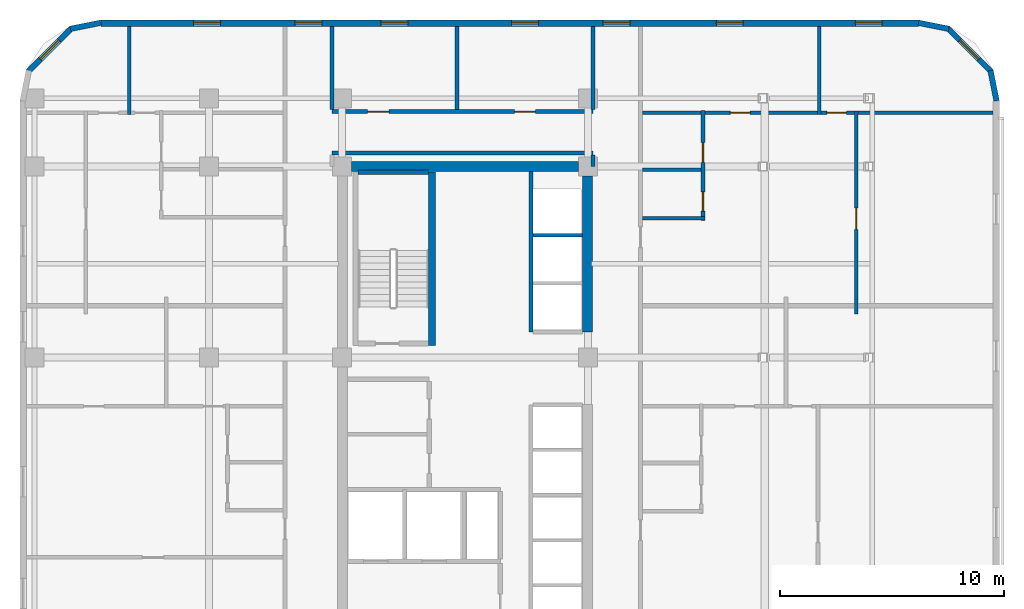
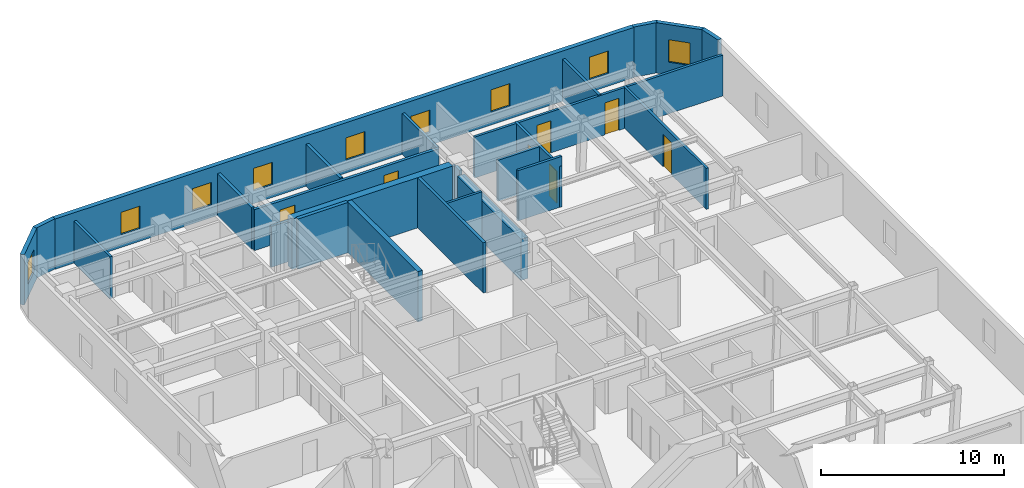
# One storey, part 6 of 11: 25 walls, 9 windows, 7 doors, 16 openings.
"""IFC4 building model written with IfcOpenShell, lengths in metres."""

import ifcopenshell
import ifcopenshell.guid

model = None  # the IFC model being written
_history = None  # IfcOwnerHistory: only IFC2X3 demands one
_inside = {}  # id of a spatial element -> (the spatial element, [elements in it])
_under = {}  # id of a project, library or spatial element -> (it, [spatial elements below it])
_declared = {}  # id of a project -> (the project, [libraries it declares])
_typed = {}  # id of a type object -> (the type object, [elements of that type])
_made_of = {}  # id of a material, layer set ... -> (it, [elements and type objects made of it])


def new_model(schema):
    """Start an empty IFC model of exactly this schema.

    Asked for "IFC4X3", IfcOpenShell would pick the latest addendum, in which some entities
    have other attributes; the version numbers below select the first issue.
    IFC2X3 requires an IfcOwnerHistory on every rooted entity: one is made here for all.
    """
    global model, _history
    if schema == "IFC4X3":
        model = ifcopenshell.file(schema_version=(4, 3, 0, 0))
    else:
        model = ifcopenshell.file(schema=schema)
    _inside.clear()
    _under.clear()
    _declared.clear()
    _typed.clear()
    _made_of.clear()
    _history = None
    if model.schema == "IFC2X3":
        org = make("IfcOrganization", Name="unknown")
        user = make(
            "IfcPersonAndOrganization",
            ThePerson=make("IfcPerson", FamilyName="unknown"),
            TheOrganization=org,
        )
        app = make(
            "IfcApplication",
            ApplicationDeveloper=org,
            Version="unknown",
            ApplicationFullName="unknown",
            ApplicationIdentifier="unknown",
        )
        _history = make(
            "IfcOwnerHistory",
            OwningUser=user,
            OwningApplication=app,
            ChangeAction="ADDED",
            CreationDate=0,
        )
    return model


def make(cls, **values):
    """One entity of the class cls with the attributes given. An attribute that is None is left unset."""
    return model.create_entity(
        cls, **{name: value for name, value in values.items() if value is not None}
    )


def rooted(cls, **values):
    """An entity with a GlobalId (a new one), such as an element, a storey or a relation."""
    return make(cls, GlobalId=ifcopenshell.guid.new(), OwnerHistory=_history, **values)


def si_unit(unit_type, name, prefix=None):
    """IfcSIUnit, for example si_unit("LENGTHUNIT", "METRE", prefix="MILLI")."""
    return make("IfcSIUnit", UnitType=unit_type, Prefix=prefix, Name=name)


def assignment(units):
    """IfcUnitAssignment: the units of a project."""
    return None if units is None else make("IfcUnitAssignment", Units=units)


def point(xyz):
    """IfcCartesianPoint."""
    return None if xyz is None else make("IfcCartesianPoint", Coordinates=xyz)


def direction(xyz):
    """IfcDirection."""
    return None if xyz is None else make("IfcDirection", DirectionRatios=xyz)


def frame(location, z_axis=None, x_axis=None):
    """IfcAxis2Placement3D, a coordinate frame: its origin and axes. An axis left out is left unset."""
    return make(
        "IfcAxis2Placement3D",
        Location=point(location),
        Axis=direction(z_axis),
        RefDirection=direction(x_axis),
    )


def frame_2d(location, x_axis=None):
    """IfcAxis2Placement2D, a coordinate frame in the plane: its origin and x axis."""
    return make(
        "IfcAxis2Placement2D", Location=point(location), RefDirection=direction(x_axis)
    )


def origin():
    """The frame at (0, 0, 0) with its axes left unset."""
    return frame((0.0, 0.0, 0.0))


def place(relative_to, where):
    """IfcLocalPlacement: puts the frame where relative to a parent placement (None: the world)."""
    return make(
        "IfcLocalPlacement", PlacementRelTo=relative_to, RelativePlacement=where
    )


def context(
    kind, dimensions, precision=None, world=None, true_north=None, identifier=None
):
    """IfcGeometricRepresentationContext, for example the 3D "Model" context."""
    return make(
        "IfcGeometricRepresentationContext",
        ContextIdentifier=identifier,
        ContextType=kind,
        CoordinateSpaceDimension=dimensions,
        Precision=precision,
        WorldCoordinateSystem=world,
        TrueNorth=true_north,
    )


def subcontext(parent, identifier, kind, view, scale=None):
    """IfcGeometricRepresentationSubContext, for example "Body" below "Model"."""
    return make(
        "IfcGeometricRepresentationSubContext",
        ContextIdentifier=identifier,
        ContextType=kind,
        ParentContext=parent,
        TargetScale=scale,
        TargetView=view,
    )


def project(units=None, contexts=None):
    """IfcProject with its units and contexts."""
    return rooted(
        "IfcProject",
        Name="project",
        RepresentationContexts=contexts,
        UnitsInContext=assignment(units),
    )


def spatial(cls, under=None, at=None, **own):
    """A site, building, storey or space (cls), placed at a placement, below another one or the project."""
    s = rooted(cls, ObjectPlacement=at, **own)
    if under is not None:
        _under.setdefault(under.id(), (under, []))[1].append(s)
    return s


def profile(cls, at=None, kind="AREA", **sizes):
    """A parametric profile (cls). Its sizes go by their IFC names, for example OverallWidth=200.0."""
    return make(cls, ProfileType=kind, Position=at, **sizes)


def rectangle(**sizes):
    """IfcRectangleProfileDef."""
    return profile("IfcRectangleProfileDef", **sizes)


def extrude(swept, where, along, depth):
    """IfcExtrudedAreaSolid: the profile swept, set in the frame where, extruded along a direction by depth."""
    return make(
        "IfcExtrudedAreaSolid",
        SweptArea=swept,
        Position=where,
        ExtrudedDirection=direction(along),
        Depth=depth,
    )


def shape(context_of_items, identifier, shape_type, items):
    """IfcShapeRepresentation: the items that make up one representation, for example the "Body"."""
    return make(
        "IfcShapeRepresentation",
        ContextOfItems=context_of_items,
        RepresentationIdentifier=identifier,
        RepresentationType=shape_type,
        Items=items,
    )


def material(Name=None, Category=None):
    """IfcMaterial."""
    return make("IfcMaterial", Name=Name, Category=Category)


def layer(
    of_material, thickness, ventilated=None, Name=None, Category=None, Priority=None
):
    """IfcMaterialLayer: one layer of a wall or slab, of a material (None: an air gap)."""
    return make(
        "IfcMaterialLayer",
        Material=of_material,
        LayerThickness=thickness,
        IsVentilated=ventilated,
        Name=Name,
        Category=Category,
        Priority=Priority,
    )


def layer_set(layers, Name=None):
    """IfcMaterialLayerSet."""
    return make("IfcMaterialLayerSet", MaterialLayers=layers, LayerSetName=Name)


def made_of(thing, what):
    """Note that an element or type object is made of a material, layer set ...; save() writes the relation."""
    if what is not None:
        _made_of.setdefault(what.id(), (what, []))[1].append(thing)
    return thing


def type_object(cls, material=None, **own):
    """A type object (cls), such as IfcWallType, which elements share."""
    return made_of(rooted(cls, **own), material)


def element(
    cls,
    number,
    at=None,
    inside=None,
    cuts=None,
    type_object=None,
    material=None,
    context=None,
    identifier="Body",
    shape_type=None,
    held_by="IfcProductDefinitionShape",
    body=None,
    shapes=None,
    **own,
):
    """One element of the class cls, such as IfcWall. Its Tag is "e" and its number.

    at: its placement. inside: the storey or other place that contains it. cuts: it is an
    opening in that element (IfcRelVoidsElement). A single representation is given by context,
    identifier, shape_type and body (its items); several are given by shapes. held_by: the class
    of the entity that holds the representations. save() writes the other relations.
    """
    e = rooted(cls, Tag="e%d" % number, ObjectPlacement=at, **own)
    if body is not None:
        shapes = [shape(context, identifier, shape_type, body)]
    if shapes is not None:
        e.Representation = make(held_by, Representations=shapes)
    if inside is not None:
        _inside.setdefault(inside.id(), (inside, []))[1].append(e)
    if cuts is not None:
        rooted(
            "IfcRelVoidsElement", RelatingBuildingElement=cuts, RelatedOpeningElement=e
        )
    if type_object is not None:
        _typed.setdefault(type_object.id(), (type_object, []))[1].append(e)
    return made_of(e, material)


def fill(opening, filler):
    """IfcRelFillsElement: the door or window that sits in an opening."""
    return rooted(
        "IfcRelFillsElement",
        RelatingOpeningElement=opening,
        RelatedBuildingElement=filler,
    )


def aggregate(whole, parts):
    """IfcRelAggregates: a whole, such as a stair, and the parts it consists of."""
    return rooted("IfcRelAggregates", RelatingObject=whole, RelatedObjects=parts)


def save(model, path):
    """Write the relations noted so far, then the file.

    IfcRelAggregates (storeys below a building ...), IfcRelContainedInSpatialStructure (elements
    in a storey), IfcRelDefinesByType, IfcRelAssociatesMaterial and IfcRelDeclares: one each for
    every whole, place, type object, material and project.
    """
    for whole, parts in _under.values():
        aggregate(whole, parts)
    for where, things in _inside.values():
        rooted(
            "IfcRelContainedInSpatialStructure",
            RelatedElements=things,
            RelatingStructure=where,
        )
    for kind, things in _typed.values():
        rooted("IfcRelDefinesByType", RelatedObjects=things, RelatingType=kind)
    for what, things in _made_of.values():
        rooted("IfcRelAssociatesMaterial", RelatedObjects=things, RelatingMaterial=what)
    for by, libraries in _declared.values():
        rooted("IfcRelDeclares", RelatingContext=by, RelatedDefinitions=libraries)
    model.write(path)


model = new_model("IFC4")

# Units and contexts
model_context = context("Model", 3, precision=1e-05, world=origin(), true_north=direction((0.0, 1.0)))
body_context = subcontext(model_context, "Body", "Model", "MODEL_VIEW")
ifc_project = project(units=[si_unit("LENGTHUNIT", "METRE"), si_unit("AREAUNIT", "SQUARE_METRE"), si_unit("VOLUMEUNIT", "CUBIC_METRE"), si_unit("PLANEANGLEUNIT", "RADIAN"), si_unit("MASSUNIT", "GRAM", prefix="KILO")], contexts=[model_context])

# Site, building, storey
site_placement = place(None, origin())
site = spatial("IfcSite", under=ifc_project, at=site_placement, CompositionType="ELEMENT")
building_placement = place(site_placement, origin())
building = spatial("IfcBuilding", under=site, at=building_placement, Name="Ochreholt Gables", CompositionType="ELEMENT")
storey_placement = place(building_placement, frame((0.0, 0.0, 87.60009765625)))
storey = spatial("IfcBuildingStorey", under=building, at=storey_placement, Name="L22", CompositionType="ELEMENT", Elevation=87.60009765625)

# Walls
ifc_material_1 = material(Name="Concrete 60 MPa", Category="concrete")
ifc_layer_1 = layer(ifc_material_1, 0.449951171875, Name="Concrete 60 MPa")
ifc_layer_set_1 = layer_set([ifc_layer_1], Name="Concrete 60 MPa")
wall_type_1 = type_object("IfcWallType", Name="WALL-CSW-450", PredefinedType="SHEAR", material=ifc_layer_set_1)
wall_1_placement = place(storey_placement, frame((35.175048828125, 31.35009765625, 0.0), z_axis=(0.0, 0.0, 1.0), x_axis=(0.0, 1.0, 0.0)))
element("IfcWall", 1, at=wall_1_placement, inside=storey, type_object=wall_type_1, Name="L22 Core North-East Shear Wall", PredefinedType="SHEAR", context=body_context, shape_type="SweptSolid", body=[
    extrude(rectangle(XDim=6.974853515625, YDim=0.449951171875, at=frame_2d((3.4873046875, 0.0))), origin(), (0.0, 0.0, 1.0), 2.7490234375),
])
wall_2_placement = place(storey_placement, frame((24.625, 38.75, 0.0), z_axis=(0.0, 0.0, 1.0), x_axis=(1.0, 0.0, 0.0)))
element("IfcWall", 2, at=wall_2_placement, inside=storey, type_object=wall_type_1, Name="L22 Core North Shear Wall", PredefinedType="SHEAR", context=body_context, shape_type="SweptSolid", body=[
    extrude(rectangle(XDim=10.14990234375, YDim=0.449951171875, at=frame_2d((5.074951171875, 0.0))), origin(), (0.0, 0.0, 1.0), 3.35986328125),
])

# Wall, openings, windows
ifc_material_2 = material(Name="Precast concrete 40 MPa", Category="concrete")
ifc_layer_2 = layer(ifc_material_2, 0.280029296875, Name="Precast concrete 40 MPa")
ifc_layer_set_2 = layer_set([ifc_layer_2], Name="Precast concrete 40 MPa")
wall_type_2 = type_object("IfcWallType", Name="WALL-EXT-280", PredefinedType="SOLIDWALL", material=ifc_layer_set_2)
wall_3_placement = place(storey_placement, frame((49.97998046875, 45.159912109375, 0.0), z_axis=(0.0, 0.0, 1.0), x_axis=(-1.0, 0.0, 0.0)))
wall_3 = element("IfcWall", 3, at=wall_3_placement, inside=storey, type_object=wall_type_2, Name="L22 North Exterior Wall", PredefinedType="SOLIDWALL", context=body_context, shape_type="SweptSolid", body=[
    extrude(rectangle(XDim=36.56005859375, YDim=0.280029296875, at=frame_2d((18.280029296875, 0.0))), origin(), (0.0, 0.0, 1.0), 3.35986328125),
])
opening_1_placement = place(wall_3_placement, frame((31.215087890625, 0.0, 0.85009765625)))
opening_1 = element("IfcOpeningElement", 4, at=opening_1_placement, cuts=wall_3, Name="Opening WN-3", PredefinedType="OPENING", context=body_context, shape_type="SweptSolid", body=[
    extrude(rectangle(XDim=1.199951171875, YDim=1.5, at=frame_2d((0.60009765625, 0.75))), frame((0.0, 0.14990234375, 0.0), z_axis=(0.0, -1.0, 0.0), x_axis=(1.0, 0.0, 0.0)), (0.0, 0.0, 1.0), 0.300048828125),
])
opening_2_placement = place(wall_3_placement, frame((26.679931640625, 0.0, 0.85009765625)))
opening_2 = element("IfcOpeningElement", 5, at=opening_2_placement, cuts=wall_3, Name="Opening WN-3", PredefinedType="OPENING", context=body_context, shape_type="SweptSolid", body=[
    extrude(rectangle(XDim=1.199951171875, YDim=1.5, at=frame_2d((0.60009765625, 0.75))), frame((0.0, 0.14990234375, 0.0), z_axis=(0.0, -1.0, 0.0), x_axis=(1.0, 0.0, 0.0)), (0.0, 0.0, 1.0), 0.300048828125),
])
opening_3_placement = place(wall_3_placement, frame((22.8291015625, 0.0, 0.85009765625)))
opening_3 = element("IfcOpeningElement", 6, at=opening_3_placement, cuts=wall_3, Name="Opening WN-3", PredefinedType="OPENING", context=body_context, shape_type="SweptSolid", body=[
    extrude(rectangle(XDim=1.199951171875, YDim=1.5, at=frame_2d((0.60009765625, 0.75))), frame((0.0, 0.14990234375, 0.0), z_axis=(0.0, -1.0, 0.0), x_axis=(1.0, 0.0, 0.0)), (0.0, 0.0, 1.0), 0.300048828125),
])
opening_4_placement = place(wall_3_placement, frame((16.994140625, 0.0, 0.85009765625)))
opening_4 = element("IfcOpeningElement", 7, at=opening_4_placement, cuts=wall_3, Name="Opening WN-3", PredefinedType="OPENING", context=body_context, shape_type="SweptSolid", body=[
    extrude(rectangle(XDim=1.199951171875, YDim=1.5, at=frame_2d((0.60009765625, 0.75))), frame((0.0, 0.14990234375, 0.0), z_axis=(0.0, -1.0, 0.0), x_axis=(1.0, 0.0, 0.0)), (0.0, 0.0, 1.0), 0.300048828125),
])
opening_5_placement = place(wall_3_placement, frame((12.89501953125, 0.0, 0.85009765625)))
opening_5 = element("IfcOpeningElement", 8, at=opening_5_placement, cuts=wall_3, Name="Opening WN-3", PredefinedType="OPENING", context=body_context, shape_type="SweptSolid", body=[
    extrude(rectangle(XDim=1.199951171875, YDim=1.5, at=frame_2d((0.60009765625, 0.75))), frame((0.0, 0.14990234375, 0.0), z_axis=(0.0, -1.0, 0.0), x_axis=(1.0, 0.0, 0.0)), (0.0, 0.0, 1.0), 0.300048828125),
])
opening_6_placement = place(wall_3_placement, frame((7.83251953125, 0.0, 0.85009765625)))
opening_6 = element("IfcOpeningElement", 9, at=opening_6_placement, cuts=wall_3, Name="Opening WN-3", PredefinedType="OPENING", context=body_context, shape_type="SweptSolid", body=[
    extrude(rectangle(XDim=1.199951171875, YDim=1.5, at=frame_2d((0.60009765625, 0.75))), frame((0.0, 0.14990234375, 0.0), z_axis=(0.0, -1.0, 0.0), x_axis=(1.0, 0.0, 0.0)), (0.0, 0.0, 1.0), 0.300048828125),
])
opening_7_placement = place(wall_3_placement, frame((1.617431640625, 0.0, 0.85009765625)))
opening_7 = element("IfcOpeningElement", 10, at=opening_7_placement, cuts=wall_3, Name="Opening WN-3", PredefinedType="OPENING", context=body_context, shape_type="SweptSolid", body=[
    extrude(rectangle(XDim=1.199951171875, YDim=1.5, at=frame_2d((0.60009765625, 0.75))), frame((0.0, 0.14990234375, 0.0), z_axis=(0.0, -1.0, 0.0), x_axis=(1.0, 0.0, 0.0)), (0.0, 0.0, 1.0), 0.300048828125),
])
ifc_material_3 = material(Name="Triple-Glazed Thermally Broken Aluminium Window", Category="aluminium")
window_type = type_object("IfcWindowType", Name="WIN-RES-1200", PartitioningType="SINGLE_PANEL", PredefinedType="WINDOW", material=ifc_material_3)
window_1_placement = place(opening_1_placement, origin())
window_1 = element("IfcWindow", 11, at=window_1_placement, inside=storey, type_object=window_type, Name="L22 Window W-EXT-N-L22-1", OverallHeight=1.5, OverallWidth=1.199951171875, PartitioningType="SINGLE_PANEL", PredefinedType="WINDOW", context=body_context, shape_type="SweptSolid", body=[
    extrude(rectangle(XDim=1.199951171875, YDim=1.5, at=frame_2d((0.60009765625, 0.75))), frame((0.0, 0.030029296875, 0.0), z_axis=(0.0, -1.0, 0.0), x_axis=(1.0, 0.0, 0.0)), (0.0, 0.0, 1.0), 0.06005859375),
])
fill(opening_1, window_1)
window_2_placement = place(opening_2_placement, origin())
window_2 = element("IfcWindow", 12, at=window_2_placement, inside=storey, type_object=window_type, Name="L22 Window W-EXT-N-L22-2", OverallHeight=1.5, OverallWidth=1.199951171875, PartitioningType="SINGLE_PANEL", PredefinedType="WINDOW", context=body_context, shape_type="SweptSolid", body=[
    extrude(rectangle(XDim=1.199951171875, YDim=1.5, at=frame_2d((0.60009765625, 0.75))), frame((0.0, 0.030029296875, 0.0), z_axis=(0.0, -1.0, 0.0), x_axis=(1.0, 0.0, 0.0)), (0.0, 0.0, 1.0), 0.06005859375),
])
fill(opening_2, window_2)
window_3_placement = place(opening_3_placement, origin())
window_3 = element("IfcWindow", 13, at=window_3_placement, inside=storey, type_object=window_type, Name="L22 Window W-EXT-N-L22-3", OverallHeight=1.5, OverallWidth=1.199951171875, PartitioningType="SINGLE_PANEL", PredefinedType="WINDOW", context=body_context, shape_type="SweptSolid", body=[
    extrude(rectangle(XDim=1.199951171875, YDim=1.5, at=frame_2d((0.60009765625, 0.75))), frame((0.0, 0.030029296875, 0.0), z_axis=(0.0, -1.0, 0.0), x_axis=(1.0, 0.0, 0.0)), (0.0, 0.0, 1.0), 0.06005859375),
])
fill(opening_3, window_3)
window_4_placement = place(opening_4_placement, origin())
window_4 = element("IfcWindow", 14, at=window_4_placement, inside=storey, type_object=window_type, Name="L22 Window W-EXT-N-L22-4", OverallHeight=1.5, OverallWidth=1.199951171875, PartitioningType="SINGLE_PANEL", PredefinedType="WINDOW", context=body_context, shape_type="SweptSolid", body=[
    extrude(rectangle(XDim=1.199951171875, YDim=1.5, at=frame_2d((0.60009765625, 0.75))), frame((0.0, 0.030029296875, 0.0), z_axis=(0.0, -1.0, 0.0), x_axis=(1.0, 0.0, 0.0)), (0.0, 0.0, 1.0), 0.06005859375),
])
fill(opening_4, window_4)
window_5_placement = place(opening_5_placement, origin())
window_5 = element("IfcWindow", 15, at=window_5_placement, inside=storey, type_object=window_type, Name="L22 Window W-EXT-N-L22-5", OverallHeight=1.5, OverallWidth=1.199951171875, PartitioningType="SINGLE_PANEL", PredefinedType="WINDOW", context=body_context, shape_type="SweptSolid", body=[
    extrude(rectangle(XDim=1.199951171875, YDim=1.5, at=frame_2d((0.60009765625, 0.75))), frame((0.0, 0.030029296875, 0.0), z_axis=(0.0, -1.0, 0.0), x_axis=(1.0, 0.0, 0.0)), (0.0, 0.0, 1.0), 0.06005859375),
])
fill(opening_5, window_5)
window_6_placement = place(opening_6_placement, origin())
window_6 = element("IfcWindow", 16, at=window_6_placement, inside=storey, type_object=window_type, Name="L22 Window W-EXT-N-L22-6", OverallHeight=1.5, OverallWidth=1.199951171875, PartitioningType="SINGLE_PANEL", PredefinedType="WINDOW", context=body_context, shape_type="SweptSolid", body=[
    extrude(rectangle(XDim=1.199951171875, YDim=1.5, at=frame_2d((0.60009765625, 0.75))), frame((0.0, 0.030029296875, 0.0), z_axis=(0.0, -1.0, 0.0), x_axis=(1.0, 0.0, 0.0)), (0.0, 0.0, 1.0), 0.06005859375),
])
fill(opening_6, window_6)
window_7_placement = place(opening_7_placement, origin())
window_7 = element("IfcWindow", 17, at=window_7_placement, inside=storey, type_object=window_type, Name="L22 Window W-EXT-N-L22-7", OverallHeight=1.5, OverallWidth=1.199951171875, PartitioningType="SINGLE_PANEL", PredefinedType="WINDOW", context=body_context, shape_type="SweptSolid", body=[
    extrude(rectangle(XDim=1.199951171875, YDim=1.5, at=frame_2d((0.60009765625, 0.75))), frame((0.0, 0.030029296875, 0.0), z_axis=(0.0, -1.0, 0.0), x_axis=(1.0, 0.0, 0.0)), (0.0, 0.0, 1.0), 0.06005859375),
])
fill(opening_7, window_7)

# Wall
ifc_layer_3 = layer(ifc_material_2, 0.25, Name="Precast concrete 40 MPa")
ifc_layer_set_3 = layer_set([ifc_layer_3], Name="Precast concrete 40 MPa")
wall_type_3 = type_object("IfcWallType", Name="WALL-EXT-CNR", PredefinedType="SOLIDWALL", material=ifc_layer_set_3)
wall_4_placement = place(storey_placement, frame((53.475830078125, 41.68359375, 0.0), z_axis=(0.0, 0.0, 1.0), x_axis=(-0.195000137217, 0.980803214965, 0.0)))
element("IfcWall", 18, at=wall_4_placement, inside=storey, type_object=wall_type_3, Name="L22 Rounded Corner Wall NE-1", PredefinedType="SOLIDWALL", context=body_context, shape_type="SweptSolid", body=[
    extrude(rectangle(XDim=1.388427734375, YDim=0.25, at=frame_2d((0.6943359375, 0.0))), origin(), (0.0, 0.0, 1.0), 3.35986328125),
])

# Wall, opening, window
wall_5_placement = place(storey_placement, frame((53.23193359375, 42.9951171875, 0.0), z_axis=(0.0, 0.0, 1.0), x_axis=(-0.707151344399, 0.707062215165, 0.0)))
wall_5 = element("IfcWall", 19, at=wall_5_placement, inside=storey, type_object=wall_type_3, Name="L22 Rounded Corner Wall NE-2", PredefinedType="SOLIDWALL", context=body_context, shape_type="SweptSolid", body=[
    extrude(rectangle(XDim=2.7392578125, YDim=0.25, at=frame_2d((1.36962890625, 0.0))), origin(), (0.0, 0.0, 1.0), 3.35986328125),
])
opening_8_placement = place(wall_5_placement, frame((0.769775390625, 0.0, 0.85009765625)))
opening_8 = element("IfcOpeningElement", 20, at=opening_8_placement, cuts=wall_5, Name="Opening WN-3", PredefinedType="OPENING", context=body_context, shape_type="SweptSolid", body=[
    extrude(rectangle(XDim=1.199951171875, YDim=1.5, at=frame_2d((0.60009765625, 0.75))), frame((0.0, 0.135009765625, 0.0), z_axis=(0.0, -1.0, 0.0), x_axis=(1.0, 0.0, 0.0)), (0.0, 0.0, 1.0), 0.27001953125),
])
window_8_placement = place(opening_8_placement, origin())
window_8 = element("IfcWindow", 21, at=window_8_placement, inside=storey, type_object=window_type, Name="L22 Corner Bedroom Window NE", OverallHeight=1.5, OverallWidth=1.199951171875, PartitioningType="SINGLE_PANEL", PredefinedType="WINDOW", context=body_context, shape_type="SweptSolid", body=[
    extrude(rectangle(XDim=1.199951171875, YDim=1.5, at=frame_2d((0.60009765625, 0.75))), frame((0.0, 0.030029296875, 0.0), z_axis=(0.0, -1.0, 0.0), x_axis=(1.0, 0.0, 0.0)), (0.0, 0.0, 1.0), 0.06005859375),
])
fill(opening_8, window_8)

# Walls
for number, where, z_axis, x_axis, name in (
    (22, (51.345458984375, 44.905029296875, 0.0), (0.0, 0.0, 1.0), (-0.980809899341, 0.19496651342, 0.0), "L22 Rounded Corner Wall NE-3"),
    (23, (13.41650390625, 45.17578125, 0.0), (0.0, 0.0, 1.0), (-0.980809899341, -0.19496651342, 0.0), "L22 Rounded Corner Wall NW-1"),
):
    element("IfcWall", number, at=place(storey_placement, frame(where, z_axis=z_axis, x_axis=x_axis)), inside=storey, type_object=wall_type_3, Name=name, PredefinedType="SOLIDWALL", context=body_context, shape_type="SweptSolid", body=[
        extrude(rectangle(XDim=1.388671875, YDim=0.25, at=frame_2d((0.6943359375, 0.0))), origin(), (0.0, 0.0, 1.0), 3.35986328125),
    ])

# Wall, opening, window
wall_6_placement = place(storey_placement, frame((12.10498046875, 44.931884765625, 0.0), z_axis=(0.0, 0.0, 1.0), x_axis=(-0.707151344399, -0.707062215165, 0.0)))
wall_6 = element("IfcWall", 24, at=wall_6_placement, inside=storey, type_object=wall_type_3, Name="L22 Rounded Corner Wall NW-2", PredefinedType="SOLIDWALL", context=body_context, shape_type="SweptSolid", body=[
    extrude(rectangle(XDim=2.7392578125, YDim=0.25, at=frame_2d((1.36962890625, 0.0))), origin(), (0.0, 0.0, 1.0), 3.35986328125),
])
opening_9_placement = place(wall_6_placement, frame((0.769775390625, 0.0, 0.85009765625)))
opening_9 = element("IfcOpeningElement", 25, at=opening_9_placement, cuts=wall_6, Name="Opening WN-3", PredefinedType="OPENING", context=body_context, shape_type="SweptSolid", body=[
    extrude(rectangle(XDim=1.199951171875, YDim=1.5, at=frame_2d((0.60009765625, 0.75))), frame((0.0, 0.135009765625, 0.0), z_axis=(0.0, -1.0, 0.0), x_axis=(1.0, 0.0, 0.0)), (0.0, 0.0, 1.0), 0.27001953125),
])
window_9_placement = place(opening_9_placement, origin())
window_9 = element("IfcWindow", 26, at=window_9_placement, inside=storey, type_object=window_type, Name="L22 Corner Bedroom Window NW", OverallHeight=1.5, OverallWidth=1.199951171875, PartitioningType="SINGLE_PANEL", PredefinedType="WINDOW", context=body_context, shape_type="SweptSolid", body=[
    extrude(rectangle(XDim=1.199951171875, YDim=1.5, at=frame_2d((0.60009765625, 0.75))), frame((0.0, 0.030029296875, 0.0), z_axis=(0.0, -1.0, 0.0), x_axis=(1.0, 0.0, 0.0)), (0.0, 0.0, 1.0), 0.06005859375),
])
fill(opening_9, window_9)

# Wall, openings, doors
ifc_material_4 = material(Name="Fire-Rated Gypsum Acoustic Partition", Category="gypsum")
ifc_layer_4 = layer(ifc_material_4, 0.179931640625, Name="Fire-Rated Gypsum Acoustic Partition")
ifc_layer_set_4 = layer_set([ifc_layer_4], Name="Fire-Rated Gypsum Acoustic Partition")
wall_type_4 = type_object("IfcWallType", Name="WALL-INT-CR180", PredefinedType="STANDARD", material=ifc_layer_set_4)
wall_7_placement = place(storey_placement, frame((23.75, 41.199951171875, 0.0), z_axis=(0.0, 0.0, 1.0), x_axis=(1.0, 0.0, 0.0)))
wall_7 = element("IfcWall", 27, at=wall_7_placement, inside=storey, type_object=wall_type_4, Name="L22 Interior Wall WI-C1N-L22", PredefinedType="STANDARD", context=body_context, shape_type="SweptSolid", body=[
    extrude(rectangle(XDim=11.669921875, YDim=0.179931640625, at=frame_2d((5.8349609375, 0.0))), origin(), (0.0, 0.0, 1.0), 2.73095703125),
])
opening_10_placement = place(wall_7_placement, frame((1.60009765625, 0.0, 0.0)))
opening_10 = element("IfcOpeningElement", 28, at=opening_10_placement, cuts=wall_7, Name="Opening D-GN1", PredefinedType="OPENING", context=body_context, shape_type="SweptSolid", body=[
    extrude(rectangle(XDim=0.949951171875, YDim=2.14990234375, at=frame_2d((0.47509765625, 1.074951171875))), frame((0.0, 0.099853515625, 0.0), z_axis=(0.0, -1.0, 0.0), x_axis=(1.0, 0.0, 0.0)), (0.0, 0.0, 1.0), 0.199951171875),
])
opening_11_placement = place(wall_7_placement, frame((8.17578125, 0.0, 0.0)))
opening_11 = element("IfcOpeningElement", 29, at=opening_11_placement, cuts=wall_7, Name="Opening D-UN1", PredefinedType="OPENING", context=body_context, shape_type="SweptSolid", body=[
    extrude(rectangle(XDim=0.919921875, YDim=2.14990234375, at=frame_2d((0.4599609375, 1.074951171875))), frame((0.0, 0.099853515625, 0.0), z_axis=(0.0, -1.0, 0.0), x_axis=(1.0, 0.0, 0.0)), (0.0, 0.0, 1.0), 0.199951171875),
])
ifc_material_5 = material(Name="Engineered Oak Timber", Category="wood")
door_type_1 = type_object("IfcDoorType", Name="DR-INT-GEN950", OperationType="NOTDEFINED", PredefinedType="DOOR", material=ifc_material_5)
door_1_placement = place(opening_10_placement, origin())
door_1 = element("IfcDoor", 30, at=door_1_placement, inside=storey, type_object=door_type_1, Name="L22 Door D-C1NL-L22", OperationType="SINGLE_SWING_RIGHT", OverallHeight=2.14990234375, OverallWidth=0.949951171875, PredefinedType="DOOR", context=body_context, shape_type="SweptSolid", body=[
    extrude(rectangle(XDim=0.949951171875, YDim=2.14990234375, at=frame_2d((0.47509765625, 1.074951171875))), frame((0.0, 0.02490234375, 0.0), z_axis=(0.0, -1.0, 0.0), x_axis=(1.0, 0.0, 0.0)), (0.0, 0.0, 1.0), 0.050048828125),
])
fill(opening_10, door_1)
door_type_2 = type_object("IfcDoorType", Name="DR-INT-UNT920", OperationType="NOTDEFINED", PredefinedType="DOOR", material=ifc_material_5)
door_2_placement = place(opening_11_placement, origin())
door_2 = element("IfcDoor", 31, at=door_2_placement, inside=storey, type_object=door_type_2, Name="L22 Door D-U-L22N1-ENT", OperationType="SINGLE_SWING_LEFT", OverallHeight=2.14990234375, OverallWidth=0.919921875, PredefinedType="DOOR", context=body_context, shape_type="SweptSolid", body=[
    extrude(rectangle(XDim=0.919921875, YDim=2.14990234375, at=frame_2d((0.4599609375, 1.074951171875))), frame((0.0, 0.02490234375, 0.0), z_axis=(0.0, -1.0, 0.0), x_axis=(1.0, 0.0, 0.0)), (0.0, 0.0, 1.0), 0.050048828125),
])
fill(opening_11, door_2)

# Walls
wall_8_placement = place(storey_placement, frame((23.75, 39.35009765625, 0.0), z_axis=(0.0, 0.0, 1.0), x_axis=(1.0, 0.0, 0.0)))
element("IfcWall", 32, at=wall_8_placement, inside=storey, type_object=wall_type_4, Name="L22 Interior Wall WI-C1N2-L22", PredefinedType="STANDARD", context=body_context, shape_type="SweptSolid", body=[
    extrude(rectangle(XDim=11.669921875, YDim=0.179931640625, at=frame_2d((5.8349609375, 0.0))), origin(), (0.0, 0.0, 1.0), 2.73095703125),
])
wall_9_placement = place(storey_placement, frame((35.419921875, 38.75, 0.0), z_axis=(0.0, 0.0, 1.0), x_axis=(0.0, 1.0, 0.0)))
element("IfcWall", 33, at=wall_9_placement, inside=storey, type_object=wall_type_4, Name="L22 Interior Wall WI-C1ENW2-L22", PredefinedType="STANDARD", context=body_context, shape_type="SweptSolid", body=[
    extrude(rectangle(XDim=0.510009765625, YDim=0.179931640625, at=frame_2d((0.2548828125, 0.0))), origin(), (0.0, 0.0, 1.0), 2.73095703125),
])
ifc_material_6 = material(Name="Double-Stud Acoustic Demising Wall", Category="gypsum")
ifc_layer_5 = layer(ifc_material_6, 0.179931640625, Name="Double-Stud Acoustic Demising Wall")
ifc_layer_set_5 = layer_set([ifc_layer_5], Name="Double-Stud Acoustic Demising Wall")
wall_type_5 = type_object("IfcWallType", Name="WALL-INT-DM180", PredefinedType="PARTITIONING", material=ifc_layer_set_5)
wall_10_placement = place(storey_placement, frame((35.419921875, 41.2900390625, 0.0), z_axis=(0.0, 0.0, 1.0), x_axis=(0.0, 1.0, 0.0)))
element("IfcWall", 34, at=wall_10_placement, inside=storey, type_object=wall_type_5, Name="L22 Interior Wall WI-C1ENW-L22", PredefinedType="PARTITIONING", context=body_context, shape_type="SweptSolid", body=[
    extrude(rectangle(XDim=3.72998046875, YDim=0.179931640625, at=frame_2d((1.864990234375, 0.0))), origin(), (0.0, 0.0, 1.0), 2.73095703125),
])
for number, where, z_axis, x_axis, name in (
    (35, (23.75, 41.2900390625, 0.0), (0.0, 0.0, 1.0), (0.0, 1.0, 0.0), "L22 Interior Wall WI-C1NWA-L22"),
    (36, (29.3515625, 41.2900390625, 0.0), (0.0, 0.0, 1.0), (0.0, 1.0, 0.0), "L22 Interior Wall WI-UDN1-L22"),
):
    element("IfcWall", number, at=place(storey_placement, frame(where, z_axis=z_axis, x_axis=x_axis)), inside=storey, type_object=wall_type_5, Name=name, PredefinedType="PARTITIONING", context=body_context, shape_type="SweptSolid", body=[
        extrude(rectangle(XDim=3.72998046875, YDim=0.179931640625, at=frame_2d((1.864990234375, 0.0))), origin(), (0.0, 0.0, 1.0), 2.808837890625),
    ])
ifc_material_7 = material(Name="Moisture-Resistant Plumbing Chase Wall", Category="gypsum")
ifc_layer_6 = layer(ifc_material_7, 0.159912109375, Name="Moisture-Resistant Plumbing Chase Wall")
ifc_layer_set_6 = layer_set([ifc_layer_6], Name="Moisture-Resistant Plumbing Chase Wall")
wall_type_6 = type_object("IfcWallType", Name="WALL-INT-PL160", PredefinedType="PLUMBINGWALL", material=ifc_layer_set_6)
wall_11_placement = place(storey_placement, frame((37.639892578125, 36.424560546875, 0.0), z_axis=(0.0, 0.0, 1.0), x_axis=(1.0, 0.0, 0.0)))
element("IfcWall", 37, at=wall_11_placement, inside=storey, type_object=wall_type_6, Name="L22 Interior Wall WU-L22E3-FYS", PredefinedType="PLUMBINGWALL", context=body_context, shape_type="SweptSolid", body=[
    extrude(rectangle(XDim=2.7880859375, YDim=0.159912109375, at=frame_2d((1.39404296875, 0.0))), origin(), (0.0, 0.0, 1.0), 3.35986328125),
])

# Wall, openings, doors
wall_12_placement = place(storey_placement, frame((40.347900390625, 36.33447265625, 0.0), z_axis=(0.0, 0.0, 1.0), x_axis=(0.0, 1.0, 0.0)))
wall_12 = element("IfcWall", 38, at=wall_12_placement, inside=storey, type_object=wall_type_6, Name="L22 Interior Wall WU-L22E3-WX", PredefinedType="PLUMBINGWALL", context=body_context, shape_type="SweptSolid", body=[
    extrude(rectangle(XDim=4.91552734375, YDim=0.159912109375, at=frame_2d((2.457763671875, 0.0))), origin(), (0.0, 0.0, 1.0), 2.73095703125),
])
opening_12_placement = place(wall_12_placement, frame((0.419921875, 0.0, 0.0)))
opening_12 = element("IfcOpeningElement", 39, at=opening_12_placement, cuts=wall_12, Name="Opening D-BT1", PredefinedType="OPENING", context=body_context, shape_type="SweptSolid", body=[
    extrude(rectangle(XDim=0.860107421875, YDim=2.1201171875, at=frame_2d((0.43017578125, 1.06005859375))), frame((0.0, 0.08984375, 0.0), z_axis=(0.0, -1.0, 0.0), x_axis=(1.0, 0.0, 0.0)), (0.0, 0.0, 1.0), 0.179931640625),
])
opening_13_placement = place(wall_12_placement, frame((2.598388671875, 0.0, 0.0)))
opening_13 = element("IfcOpeningElement", 40, at=opening_13_placement, cuts=wall_12, Name="Opening D-GN2", PredefinedType="OPENING", context=body_context, shape_type="SweptSolid", body=[
    extrude(rectangle(XDim=0.8798828125, YDim=2.1201171875, at=frame_2d((0.43994140625, 1.06005859375))), frame((0.0, 0.08984375, 0.0), z_axis=(0.0, -1.0, 0.0), x_axis=(1.0, 0.0, 0.0)), (0.0, 0.0, 1.0), 0.179931640625),
])
door_type_3 = type_object("IfcDoorType", Name="DR-INT-BTH860", OperationType="NOTDEFINED", PredefinedType="DOOR", material=ifc_material_5)
door_3_placement = place(opening_12_placement, origin())
door_3 = element("IfcDoor", 41, at=door_3_placement, inside=storey, type_object=door_type_3, Name="L22 Door D-U-L22E3-BTH", OperationType="SINGLE_SWING_LEFT", OverallHeight=2.1201171875, OverallWidth=0.860107421875, PredefinedType="DOOR", context=body_context, shape_type="SweptSolid", body=[
    extrude(rectangle(XDim=0.860107421875, YDim=2.1201171875, at=frame_2d((0.43017578125, 1.06005859375))), frame((0.0, 0.02490234375, 0.0), z_axis=(0.0, -1.0, 0.0), x_axis=(1.0, 0.0, 0.0)), (0.0, 0.0, 1.0), 0.050048828125),
])
fill(opening_12, door_3)
door_type_4 = type_object("IfcDoorType", Name="DR-INT-GEN880", OperationType="NOTDEFINED", PredefinedType="DOOR", material=ifc_material_5)
door_4_placement = place(opening_13_placement, origin())
door_4 = element("IfcDoor", 42, at=door_4_placement, inside=storey, type_object=door_type_4, Name="L22 Door D-U-L22E3-KIT", OperationType="SINGLE_SWING_RIGHT", OverallHeight=2.1201171875, OverallWidth=0.8798828125, PredefinedType="DOOR", context=body_context, shape_type="SweptSolid", body=[
    extrude(rectangle(XDim=0.8798828125, YDim=2.1201171875, at=frame_2d((0.43994140625, 1.06005859375))), frame((0.0, 0.02490234375, 0.0), z_axis=(0.0, -1.0, 0.0), x_axis=(1.0, 0.0, 0.0)), (0.0, 0.0, 1.0), 0.050048828125),
])
fill(opening_13, door_4)

# Wall
wall_13_placement = place(storey_placement, frame((37.639892578125, 38.602783203125, 0.0), z_axis=(0.0, 0.0, 1.0), x_axis=(1.0, 0.0, 0.0)))
element("IfcWall", 43, at=wall_13_placement, inside=storey, type_object=wall_type_6, Name="L22 Interior Wall WU-L22E3-WK", PredefinedType="PLUMBINGWALL", context=body_context, shape_type="SweptSolid", body=[
    extrude(rectangle(XDim=2.628173828125, YDim=0.159912109375, at=frame_2d((1.31396484375, 0.0))), origin(), (0.0, 0.0, 1.0), 2.73095703125),
])

# Wall, openings, doors
ifc_material_8 = material(Name="Gypsum Acoustic Stud Partition", Category="gypsum")
ifc_layer_7 = layer(ifc_material_8, 0.159912109375, Name="Gypsum Acoustic Stud Partition")
ifc_layer_set_7 = layer_set([ifc_layer_7], Name="Gypsum Acoustic Stud Partition")
wall_type_7 = type_object("IfcWallType", Name="WALL-INT-PT160", PredefinedType="PARTITIONING", material=ifc_layer_set_7)
wall_14_placement = place(storey_placement, frame((37.639892578125, 41.159912109375, 0.0), z_axis=(0.0, 0.0, 1.0), x_axis=(1.0, 0.0, 0.0)))
wall_14 = element("IfcWall", 44, at=wall_14_placement, inside=storey, type_object=wall_type_7, Name="L22 Interior Wall WU-L22E3-MN", PredefinedType="PARTITIONING", context=body_context, shape_type="SweptSolid", body=[
    extrude(rectangle(XDim=15.68017578125, YDim=0.159912109375, at=frame_2d((7.840087890625, 0.0))), origin(), (0.0, 0.0, 1.0), 2.73095703125),
])
opening_14_placement = place(wall_14_placement, frame((3.931396484375, 0.0, 0.0)))
opening_14 = element("IfcOpeningElement", 45, at=opening_14_placement, cuts=wall_14, Name="Opening D-BD2", PredefinedType="OPENING", context=body_context, shape_type="SweptSolid", body=[
    extrude(rectangle(XDim=0.8798828125, YDim=2.139892578125, at=frame_2d((0.43994140625, 1.06982421875))), frame((0.0, 0.08984375, 0.0), z_axis=(0.0, -1.0, 0.0), x_axis=(1.0, 0.0, 0.0)), (0.0, 0.0, 1.0), 0.179931640625),
])
opening_15_placement = place(wall_14_placement, frame((8.244384765625, 0.0, 0.0)))
opening_15 = element("IfcOpeningElement", 46, at=opening_15_placement, cuts=wall_14, Name="Opening D-BD2", PredefinedType="OPENING", context=body_context, shape_type="SweptSolid", body=[
    extrude(rectangle(XDim=0.8798828125, YDim=2.139892578125, at=frame_2d((0.43994140625, 1.06982421875))), frame((0.0, 0.08984375, 0.0), z_axis=(0.0, -1.0, 0.0), x_axis=(1.0, 0.0, 0.0)), (0.0, 0.0, 1.0), 0.179931640625),
])
door_type_5 = type_object("IfcDoorType", Name="DR-INT-BED880", OperationType="NOTDEFINED", PredefinedType="DOOR", material=ifc_material_5)
door_5_placement = place(opening_14_placement, origin())
door_5 = element("IfcDoor", 47, at=door_5_placement, inside=storey, type_object=door_type_5, Name="L22 Door D-U-L22E3-BD1", OperationType="SINGLE_SWING_RIGHT", OverallHeight=2.139892578125, OverallWidth=0.8798828125, PredefinedType="DOOR", context=body_context, shape_type="SweptSolid", body=[
    extrude(rectangle(XDim=0.8798828125, YDim=2.139892578125, at=frame_2d((0.43994140625, 1.06982421875))), frame((0.0, 0.02490234375, 0.0), z_axis=(0.0, -1.0, 0.0), x_axis=(1.0, 0.0, 0.0)), (0.0, 0.0, 1.0), 0.050048828125),
])
fill(opening_14, door_5)
door_6_placement = place(opening_15_placement, origin())
door_6 = element("IfcDoor", 48, at=door_6_placement, inside=storey, type_object=door_type_5, Name="L22 Door D-U-L22E3-BD2", OperationType="SINGLE_SWING_LEFT", OverallHeight=2.139892578125, OverallWidth=0.8798828125, PredefinedType="DOOR", context=body_context, shape_type="SweptSolid", body=[
    extrude(rectangle(XDim=0.8798828125, YDim=2.139892578125, at=frame_2d((0.43994140625, 1.06982421875))), frame((0.0, 0.02490234375, 0.0), z_axis=(0.0, -1.0, 0.0), x_axis=(1.0, 0.0, 0.0)), (0.0, 0.0, 1.0), 0.050048828125),
])
fill(opening_15, door_6)

# Wall, opening, door
wall_15_placement = place(storey_placement, frame((47.193603515625, 32.159912109375, 0.0), z_axis=(0.0, 0.0, 1.0), x_axis=(0.0, 1.0, 0.0)))
wall_15 = element("IfcWall", 49, at=wall_15_placement, inside=storey, type_object=wall_type_7, Name="L22 Interior Wall WU-L22E3-DNV", PredefinedType="PARTITIONING", context=body_context, shape_type="SweptSolid", body=[
    extrude(rectangle(XDim=9.080078125, YDim=0.159912109375, at=frame_2d((4.5400390625, 0.0))), origin(), (0.0, 0.0, 1.0), 2.73095703125),
])
opening_16_placement = place(wall_15_placement, frame((3.780029296875, 0.0, 0.0)))
opening_16 = element("IfcOpeningElement", 50, at=opening_16_placement, cuts=wall_15, Name="Opening D-GN1", PredefinedType="OPENING", context=body_context, shape_type="SweptSolid", body=[
    extrude(rectangle(XDim=0.949951171875, YDim=2.14990234375, at=frame_2d((0.47509765625, 1.074951171875))), frame((0.0, 0.08984375, 0.0), z_axis=(0.0, -1.0, 0.0), x_axis=(1.0, 0.0, 0.0)), (0.0, 0.0, 1.0), 0.179931640625),
])
door_7_placement = place(opening_16_placement, origin())
door_7 = element("IfcDoor", 51, at=door_7_placement, inside=storey, type_object=door_type_1, Name="L22 Door D-U-L22E3-DIN", OperationType="SINGLE_SWING_LEFT", OverallHeight=2.14990234375, OverallWidth=0.949951171875, PredefinedType="DOOR", context=body_context, shape_type="SweptSolid", body=[
    extrude(rectangle(XDim=0.949951171875, YDim=2.14990234375, at=frame_2d((0.47509765625, 1.074951171875))), frame((0.0, 0.02490234375, 0.0), z_axis=(0.0, -1.0, 0.0), x_axis=(1.0, 0.0, 0.0)), (0.0, 0.0, 1.0), 0.050048828125),
])
fill(opening_16, door_7)

# Walls
for number, where, z_axis, x_axis, name in (
    (52, (45.544921875, 41.080078125, 0.0), (0.0, 0.0, 1.0), (0.0, 1.0, 0.0), "L22 Interior Wall WU-L22E3-BSD"),
    (53, (14.679931640625, 41.080078125, 0.0), (0.0, 0.0, 1.0), (0.0, 1.0, 0.0), "L22 Interior Wall WU-L22W3-BSD"),
):
    element("IfcWall", number, at=place(storey_placement, frame(where, z_axis=z_axis, x_axis=x_axis)), inside=storey, type_object=wall_type_7, Name=name, PredefinedType="PARTITIONING", context=body_context, shape_type="SweptSolid", body=[
        extrude(rectangle(XDim=3.93994140625, YDim=0.159912109375, at=frame_2d((1.969970703125, 0.0))), origin(), (0.0, 0.0, 1.0), 2.808837890625),
    ])
ifc_material_9 = material(Name="Gypsum Shaftliner and Steel Stud", Category="steel")
ifc_layer_8 = layer(ifc_material_9, 0.14990234375, Name="Gypsum Shaftliner and Steel Stud")
ifc_layer_set_8 = layer_set([ifc_layer_8], Name="Gypsum Shaftliner and Steel Stud")
wall_type_8 = type_object("IfcWallType", Name="WALL-INT-SH150", PredefinedType="STANDARD", material=ifc_layer_set_8)
wall_16_placement = place(storey_placement, frame((32.739990234375, 35.669921875, 0.0), z_axis=(0.0, 0.0, 1.0), x_axis=(1.0, 0.0, 0.0)))
element("IfcWall", 54, at=wall_16_placement, inside=storey, type_object=wall_type_8, Name="L22 Interior Wall WI-LFM-D2-L22", PredefinedType="STANDARD", context=body_context, shape_type="SweptSolid", body=[
    extrude(rectangle(XDim=2.2099609375, YDim=0.14990234375, at=frame_2d((1.10498046875, 0.0))), origin(), (0.0, 0.0, 1.0), 3.35986328125),
])
ifc_layer_9 = layer(ifc_material_9, 0.179931640625, Name="Gypsum Shaftliner and Steel Stud")
ifc_layer_set_9 = layer_set([ifc_layer_9], Name="Gypsum Shaftliner and Steel Stud")
wall_type_9 = type_object("IfcWallType", Name="WALL-INT-SH180", PredefinedType="STANDARD", material=ifc_layer_set_9)
wall_17_placement = place(storey_placement, frame((32.64990234375, 31.35009765625, 0.0), z_axis=(0.0, 0.0, 1.0), x_axis=(0.0, 1.0, 0.0)))
element("IfcWall", 55, at=wall_17_placement, inside=storey, type_object=wall_type_9, Name="L22 Interior Wall WI-LFM-FR-L22", PredefinedType="STANDARD", context=body_context, shape_type="SweptSolid", body=[
    extrude(rectangle(XDim=7.1748046875, YDim=0.179931640625, at=frame_2d((3.58740234375, 0.0))), origin(), (0.0, 0.0, 1.0), 3.35986328125),
])
ifc_layer_10 = layer(ifc_material_1, 0.300048828125, Name="Concrete 60 MPa")
ifc_layer_set_10 = layer_set([ifc_layer_10], Name="Concrete 60 MPa")
wall_type_10 = type_object("IfcWallType", Name="WALL-SPN-300", PredefinedType="SHEAR", material=ifc_layer_set_10)
wall_18_placement = place(storey_placement, frame((28.22998046875, 30.739990234375, 0.0), z_axis=(0.0, 0.0, 1.0), x_axis=(0.0, 1.0, 0.0)))
element("IfcWall", 56, at=wall_18_placement, inside=storey, type_object=wall_type_10, Name="L22 Core North Spine Shear Wall", PredefinedType="SHEAR", context=body_context, shape_type="SweptSolid", body=[
    extrude(rectangle(XDim=7.760009765625, YDim=0.300048828125, at=frame_2d((3.8798828125, 0.0))), origin(), (0.0, 0.0, 1.0), 3.35986328125),
])
ifc_material_10 = material(Name="Concrete 50 MPa", Category="concrete")
ifc_layer_11 = layer(ifc_material_10, 0.219970703125, Name="Concrete 50 MPa")
ifc_layer_set_11 = layer_set([ifc_layer_11], Name="Concrete 50 MPa")
wall_type_11 = type_object("IfcWallType", Name="WALL-STW-220", PredefinedType="SHEAR", material=ifc_layer_set_11)
wall_19_placement = place(storey_placement, frame((24.919921875, 38.489990234375, 0.0), z_axis=(0.0, 0.0, 1.0), x_axis=(1.0, 0.0, 0.0)))
element("IfcWall", 57, at=wall_19_placement, inside=storey, type_object=wall_type_11, Name="L22 Exit Stair 2 North Wall", PredefinedType="SHEAR", context=body_context, shape_type="SweptSolid", body=[
    extrude(rectangle(XDim=3.16015625, YDim=0.219970703125, at=frame_2d((1.580078125, 0.0))), origin(), (0.0, 0.0, 1.0), 3.35986328125),
])

save(model, "model.ifc")
